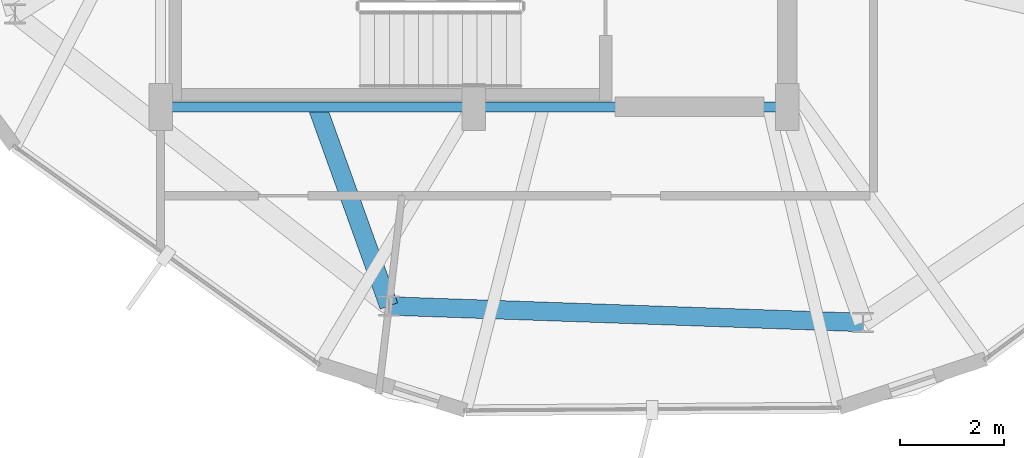
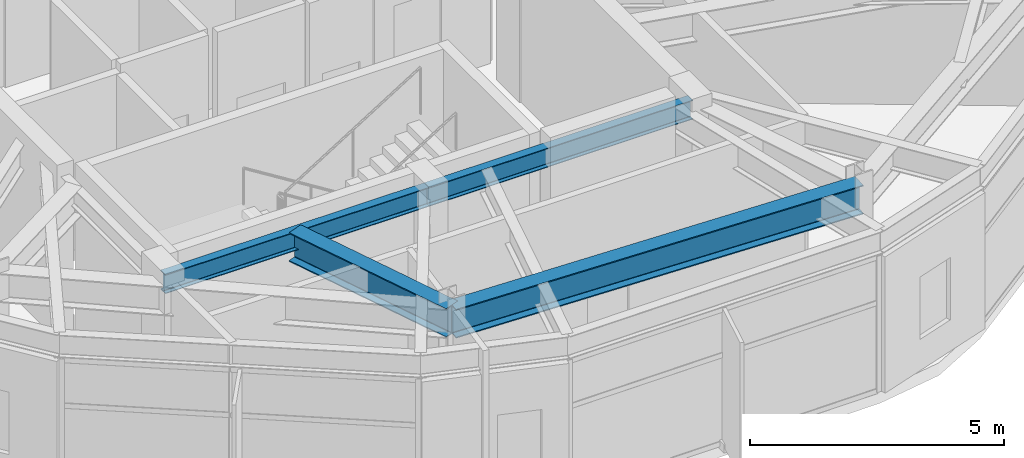
# One storey, part 3 of 22: 4 beams.
"""IFC4 building model written with IfcOpenShell, lengths in metres."""

from ifc_helpers import new_model, si_unit, direction, frame, origin, origin_2d, place, context, subcontext, project, spatial, i_section, extrude, material, material_profile, profile_set, type_object, element, save


model = new_model("IFC4")

# Units and contexts
model_context = context("Model", 3, precision=1e-05, world=origin(), true_north=direction((0.0, 1.0)))
body_context = subcontext(model_context, "Body", "Model", "MODEL_VIEW")
ifc_project = project(units=[si_unit("LENGTHUNIT", "METRE"), si_unit("AREAUNIT", "SQUARE_METRE"), si_unit("VOLUMEUNIT", "CUBIC_METRE"), si_unit("PLANEANGLEUNIT", "RADIAN"), si_unit("MASSUNIT", "GRAM", prefix="KILO")], contexts=[model_context])

# Site, building, storey
site_placement = place(None, origin())
site = spatial("IfcSite", under=ifc_project, at=site_placement, CompositionType="ELEMENT")
building_placement = place(site_placement, origin())
building = spatial("IfcBuilding", under=site, at=building_placement, Name="Soratama Intermodal Tower", CompositionType="ELEMENT")
storey_placement = place(building_placement, frame((0.0, 0.0, 301.449951171875)))
storey = spatial("IfcBuildingStorey", under=building, at=storey_placement, Name="L76", CompositionType="ELEMENT", Elevation=301.449951171875)

# Beams
ifc_material_1 = material(Name="Structural steel ASTM A992 Grade 50", Category="steel")
ifc_material_profile_1 = material_profile(ifc_material_1, i_section(OverallWidth=0.19091796875, OverallDepth=0.4599609375, WebThickness=0.010009765625, FlangeThickness=0.01611328125, FilletRadius=0.010986328125, at=origin_2d()), Name="W18X55")
ifc_profile_set_1 = profile_set([ifc_material_profile_1], Name="Structural steel ASTM A992 Grade 50")
beam_type_1 = type_object("IfcBeamType", Name="BM-FLR-W18X55", PredefinedType="BEAM", material=ifc_profile_set_1)
for number, where, z_axis, x_axis, name in (
    (1, (32.60009765625, 15.0, 3.6650390625), (1.0, 0.0, 0.0), (0.0, 1.0, 0.0), "BM-L76-CRING-01"),
    (2, (38.60009765625, 15.0, 3.6650390625), (1.0, 0.0, 0.0), (0.0, 1.0, 0.0), "BM-L76-CRING-02"),
):
    element("IfcBeam", number, at=place(storey_placement, frame(where, z_axis=z_axis, x_axis=x_axis)), inside=storey, type_object=beam_type_1, Name=name, PredefinedType="BEAM", context=body_context, shape_type="SweptSolid", body=[
        extrude(i_section(OverallWidth=0.19091796875, OverallDepth=0.4599609375, WebThickness=0.010009765625, FlangeThickness=0.01611328125, FilletRadius=0.010986328125, at=origin_2d()), origin(), (0.0, 0.0, 1.0), 6.0),
    ])
ifc_material_2 = material(Name="Structural steel ASTM A992 Grade 50", Category="steel")
ifc_material_profile_2 = material_profile(ifc_material_2, i_section(OverallWidth=0.35498046875, OverallDepth=0.695068359375, WebThickness=0.015380859375, FlangeThickness=0.02490234375, FilletRadius=0.01611328125, at=origin_2d()), Name="W27X146")
ifc_profile_set_2 = profile_set([ifc_material_profile_2], Name="Structural steel ASTM A992 Grade 50")
beam_type_2 = type_object("IfcBeamType", Name="BM-RING-W27X146", PredefinedType="BEAM", material=ifc_profile_set_2)
beam_1_placement = place(storey_placement, frame((36.971923828125, 11.18701171875, 3.547607421875), z_axis=(0.999391551516, -0.034878743651, 0.0), x_axis=(0.034878743651, 0.999391551516, 0.0)))
element("IfcBeam", 3, at=beam_1_placement, inside=storey, type_object=beam_type_2, Name="BM-L76-RING-07", PredefinedType="BEAM", context=body_context, shape_type="SweptSolid", body=[
    extrude(i_section(OverallWidth=0.35498046875, OverallDepth=0.695068359375, WebThickness=0.015380859375, FlangeThickness=0.02490234375, FilletRadius=0.01611328125, at=origin_2d()), origin(), (0.0, 0.0, 1.0), 9.085693359375),
])
beam_2_placement = place(storey_placement, frame((35.60009765625, 15.0, 3.547607421875), z_axis=(0.33853385328, -0.940954212586, 0.0), x_axis=(0.940954212586, 0.33853385328, 0.0)))
element("IfcBeam", 4, at=beam_2_placement, inside=storey, type_object=beam_type_2, Name="BM-L76-RAD-07", PredefinedType="BEAM", context=body_context, shape_type="SweptSolid", body=[
    extrude(i_section(OverallWidth=0.35498046875, OverallDepth=0.695068359375, WebThickness=0.015380859375, FlangeThickness=0.02490234375, FilletRadius=0.01611328125, at=origin_2d()), origin(), (0.0, 0.0, 1.0), 4.05224609375),
])

save(model, "model.ifc")
